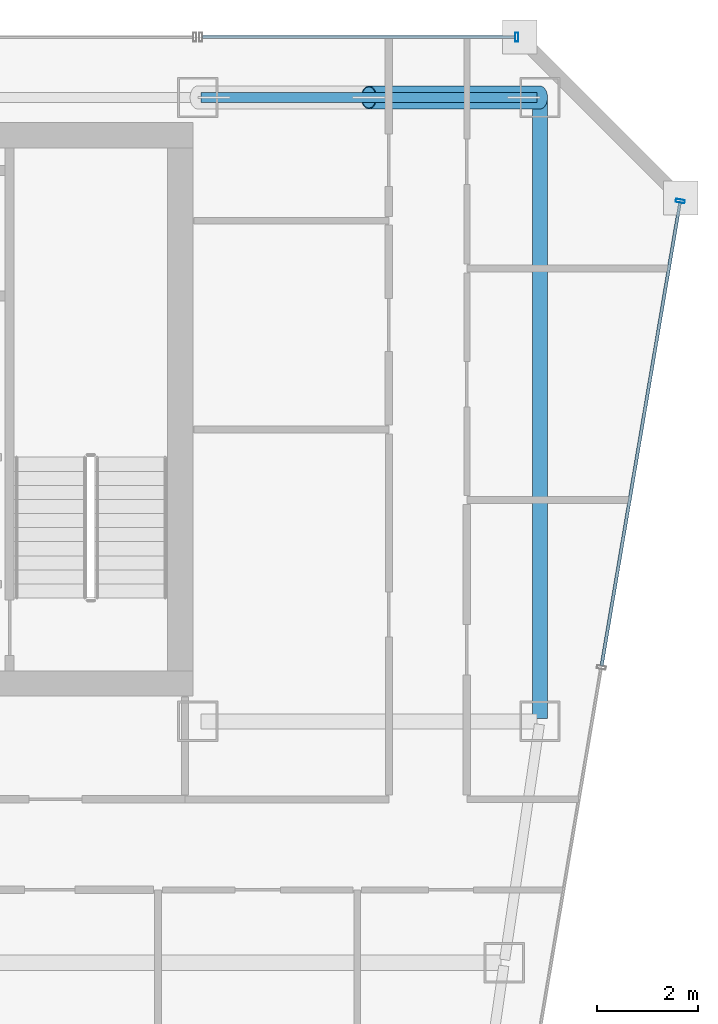
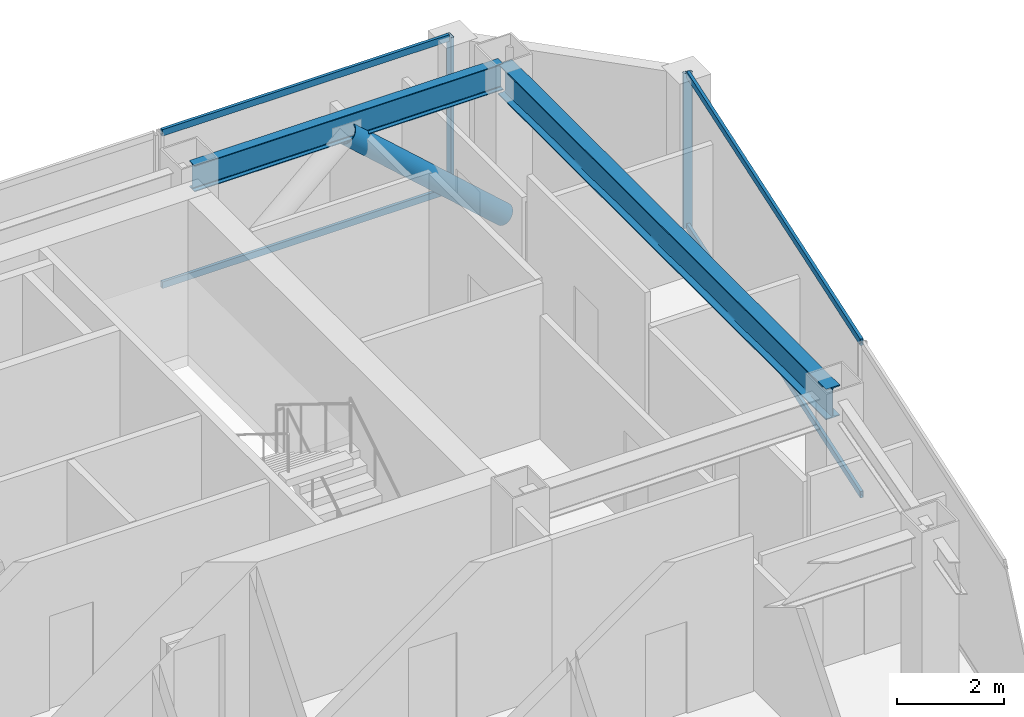
# One storey, part 27 of 36: 7 members, 2 beams, 2 elements without a shape of their own.
"""IFC4 building model written with IfcOpenShell, lengths in metres."""

import ifcopenshell
import ifcopenshell.guid

model = None  # the IFC model being written
_history = None  # IfcOwnerHistory: only IFC2X3 demands one
_inside = {}  # id of a spatial element -> (the spatial element, [elements in it])
_under = {}  # id of a project, library or spatial element -> (it, [spatial elements below it])
_declared = {}  # id of a project -> (the project, [libraries it declares])
_typed = {}  # id of a type object -> (the type object, [elements of that type])
_made_of = {}  # id of a material, layer set ... -> (it, [elements and type objects made of it])


def new_model(schema):
    """Start an empty IFC model of exactly this schema.

    Asked for "IFC4X3", IfcOpenShell would pick the latest addendum, in which some entities
    have other attributes; the version numbers below select the first issue.
    IFC2X3 requires an IfcOwnerHistory on every rooted entity: one is made here for all.
    """
    global model, _history
    if schema == "IFC4X3":
        model = ifcopenshell.file(schema_version=(4, 3, 0, 0))
    else:
        model = ifcopenshell.file(schema=schema)
    _inside.clear()
    _under.clear()
    _declared.clear()
    _typed.clear()
    _made_of.clear()
    _history = None
    if model.schema == "IFC2X3":
        org = make("IfcOrganization", Name="unknown")
        user = make(
            "IfcPersonAndOrganization",
            ThePerson=make("IfcPerson", FamilyName="unknown"),
            TheOrganization=org,
        )
        app = make(
            "IfcApplication",
            ApplicationDeveloper=org,
            Version="unknown",
            ApplicationFullName="unknown",
            ApplicationIdentifier="unknown",
        )
        _history = make(
            "IfcOwnerHistory",
            OwningUser=user,
            OwningApplication=app,
            ChangeAction="ADDED",
            CreationDate=0,
        )
    return model


def make(cls, **values):
    """One entity of the class cls with the attributes given. An attribute that is None is left unset."""
    return model.create_entity(
        cls, **{name: value for name, value in values.items() if value is not None}
    )


def rooted(cls, **values):
    """An entity with a GlobalId (a new one), such as an element, a storey or a relation."""
    return make(cls, GlobalId=ifcopenshell.guid.new(), OwnerHistory=_history, **values)


def si_unit(unit_type, name, prefix=None):
    """IfcSIUnit, for example si_unit("LENGTHUNIT", "METRE", prefix="MILLI")."""
    return make("IfcSIUnit", UnitType=unit_type, Prefix=prefix, Name=name)


def assignment(units):
    """IfcUnitAssignment: the units of a project."""
    return None if units is None else make("IfcUnitAssignment", Units=units)


def point(xyz):
    """IfcCartesianPoint."""
    return None if xyz is None else make("IfcCartesianPoint", Coordinates=xyz)


def direction(xyz):
    """IfcDirection."""
    return None if xyz is None else make("IfcDirection", DirectionRatios=xyz)


def frame(location, z_axis=None, x_axis=None):
    """IfcAxis2Placement3D, a coordinate frame: its origin and axes. An axis left out is left unset."""
    return make(
        "IfcAxis2Placement3D",
        Location=point(location),
        Axis=direction(z_axis),
        RefDirection=direction(x_axis),
    )


def frame_2d(location, x_axis=None):
    """IfcAxis2Placement2D, a coordinate frame in the plane: its origin and x axis."""
    return make(
        "IfcAxis2Placement2D", Location=point(location), RefDirection=direction(x_axis)
    )


def origin():
    """The frame at (0, 0, 0) with its axes left unset."""
    return frame((0.0, 0.0, 0.0))


def origin_2d():
    """The frame at (0, 0) in the plane with its x axis left unset."""
    return frame_2d((0.0, 0.0))


def place(relative_to, where):
    """IfcLocalPlacement: puts the frame where relative to a parent placement (None: the world)."""
    return make(
        "IfcLocalPlacement", PlacementRelTo=relative_to, RelativePlacement=where
    )


def context(
    kind, dimensions, precision=None, world=None, true_north=None, identifier=None
):
    """IfcGeometricRepresentationContext, for example the 3D "Model" context."""
    return make(
        "IfcGeometricRepresentationContext",
        ContextIdentifier=identifier,
        ContextType=kind,
        CoordinateSpaceDimension=dimensions,
        Precision=precision,
        WorldCoordinateSystem=world,
        TrueNorth=true_north,
    )


def subcontext(parent, identifier, kind, view, scale=None):
    """IfcGeometricRepresentationSubContext, for example "Body" below "Model"."""
    return make(
        "IfcGeometricRepresentationSubContext",
        ContextIdentifier=identifier,
        ContextType=kind,
        ParentContext=parent,
        TargetScale=scale,
        TargetView=view,
    )


def project(units=None, contexts=None):
    """IfcProject with its units and contexts."""
    return rooted(
        "IfcProject",
        Name="project",
        RepresentationContexts=contexts,
        UnitsInContext=assignment(units),
    )


def spatial(cls, under=None, at=None, **own):
    """A site, building, storey or space (cls), placed at a placement, below another one or the project."""
    s = rooted(cls, ObjectPlacement=at, **own)
    if under is not None:
        _under.setdefault(under.id(), (under, []))[1].append(s)
    return s


def profile(cls, at=None, kind="AREA", **sizes):
    """A parametric profile (cls). Its sizes go by their IFC names, for example OverallWidth=200.0."""
    return make(cls, ProfileType=kind, Position=at, **sizes)


def hollow_rectangle(**sizes):
    """IfcRectangleHollowProfileDef."""
    return profile("IfcRectangleHollowProfileDef", **sizes)


def hollow_circle(**sizes):
    """IfcCircleHollowProfileDef."""
    return profile("IfcCircleHollowProfileDef", **sizes)


def i_section(**sizes):
    """IfcIShapeProfileDef."""
    return profile("IfcIShapeProfileDef", **sizes)


def extrude(swept, where, along, depth):
    """IfcExtrudedAreaSolid: the profile swept, set in the frame where, extruded along a direction by depth."""
    return make(
        "IfcExtrudedAreaSolid",
        SweptArea=swept,
        Position=where,
        ExtrudedDirection=direction(along),
        Depth=depth,
    )


def shape(context_of_items, identifier, shape_type, items):
    """IfcShapeRepresentation: the items that make up one representation, for example the "Body"."""
    return make(
        "IfcShapeRepresentation",
        ContextOfItems=context_of_items,
        RepresentationIdentifier=identifier,
        RepresentationType=shape_type,
        Items=items,
    )


def material(Name=None, Category=None):
    """IfcMaterial."""
    return make("IfcMaterial", Name=Name, Category=Category)


def material_profile(
    of_material, cross_section, Name=None, Category=None, Priority=None
):
    """IfcMaterialProfile: a cross section and its material."""
    return make(
        "IfcMaterialProfile",
        Name=Name,
        Material=of_material,
        Profile=cross_section,
        Priority=Priority,
        Category=Category,
    )


def profile_set(profiles, Name=None, composite=None):
    """IfcMaterialProfileSet."""
    return make(
        "IfcMaterialProfileSet",
        Name=Name,
        MaterialProfiles=profiles,
        CompositeProfile=composite,
    )


def made_of(thing, what):
    """Note that an element or type object is made of a material, layer set ...; save() writes the relation."""
    if what is not None:
        _made_of.setdefault(what.id(), (what, []))[1].append(thing)
    return thing


def type_object(cls, material=None, **own):
    """A type object (cls), such as IfcWallType, which elements share."""
    return made_of(rooted(cls, **own), material)


def element(
    cls,
    number,
    at=None,
    inside=None,
    cuts=None,
    type_object=None,
    material=None,
    context=None,
    identifier="Body",
    shape_type=None,
    held_by="IfcProductDefinitionShape",
    body=None,
    shapes=None,
    **own,
):
    """One element of the class cls, such as IfcWall. Its Tag is "e" and its number.

    at: its placement. inside: the storey or other place that contains it. cuts: it is an
    opening in that element (IfcRelVoidsElement). A single representation is given by context,
    identifier, shape_type and body (its items); several are given by shapes. held_by: the class
    of the entity that holds the representations. save() writes the other relations.
    """
    e = rooted(cls, Tag="e%d" % number, ObjectPlacement=at, **own)
    if body is not None:
        shapes = [shape(context, identifier, shape_type, body)]
    if shapes is not None:
        e.Representation = make(held_by, Representations=shapes)
    if inside is not None:
        _inside.setdefault(inside.id(), (inside, []))[1].append(e)
    if cuts is not None:
        rooted(
            "IfcRelVoidsElement", RelatingBuildingElement=cuts, RelatedOpeningElement=e
        )
    if type_object is not None:
        _typed.setdefault(type_object.id(), (type_object, []))[1].append(e)
    return made_of(e, material)


def aggregate(whole, parts):
    """IfcRelAggregates: a whole, such as a stair, and the parts it consists of."""
    return rooted("IfcRelAggregates", RelatingObject=whole, RelatedObjects=parts)


def save(model, path):
    """Write the relations noted so far, then the file.

    IfcRelAggregates (storeys below a building ...), IfcRelContainedInSpatialStructure (elements
    in a storey), IfcRelDefinesByType, IfcRelAssociatesMaterial and IfcRelDeclares: one each for
    every whole, place, type object, material and project.
    """
    for whole, parts in _under.values():
        aggregate(whole, parts)
    for where, things in _inside.values():
        rooted(
            "IfcRelContainedInSpatialStructure",
            RelatedElements=things,
            RelatingStructure=where,
        )
    for kind, things in _typed.values():
        rooted("IfcRelDefinesByType", RelatedObjects=things, RelatingType=kind)
    for what, things in _made_of.values():
        rooted("IfcRelAssociatesMaterial", RelatedObjects=things, RelatingMaterial=what)
    for by, libraries in _declared.values():
        rooted("IfcRelDeclares", RelatingContext=by, RelatedDefinitions=libraries)
    model.write(path)


model = new_model("IFC4")

# Units and contexts
model_context = context("Model", 3, precision=1e-05, world=origin(), true_north=direction((0.0, 1.0)))
body_context = subcontext(model_context, "Body", "Model", "MODEL_VIEW")
ifc_project = project(units=[si_unit("LENGTHUNIT", "METRE"), si_unit("AREAUNIT", "SQUARE_METRE"), si_unit("VOLUMEUNIT", "CUBIC_METRE"), si_unit("PLANEANGLEUNIT", "RADIAN"), si_unit("MASSUNIT", "GRAM", prefix="KILO")], contexts=[model_context])

# Site, building, storey
site_placement = place(None, origin())
site = spatial("IfcSite", under=ifc_project, at=site_placement, CompositionType="ELEMENT")
building_placement = place(site_placement, origin())
building = spatial("IfcBuilding", under=site, at=building_placement, Name="Saevonmaru Cultural Tower", CompositionType="ELEMENT")
storey_placement = place(building_placement, frame((0.0, 0.0, 205.60009765625)))
storey = spatial("IfcBuildingStorey", under=building, at=storey_placement, Name="L47", CompositionType="ELEMENT", Elevation=205.60009765625)

# Beams
ifc_material_1 = material(Name="Steel SM355", Category="steel")
ifc_material_profile_1 = material_profile(ifc_material_1, i_section(OverallWidth=0.300048828125, OverallDepth=0.699951171875, WebThickness=0.012939453125, FlangeThickness=0.02392578125, FilletRadius=0.02587890625, at=origin_2d()), Name="H-700x300x13x24")
ifc_profile_set_1 = profile_set([ifc_material_profile_1], Name="Steel SM355")
beam_type_1 = type_object("IfcBeamType", Name="BM-G-H700", PredefinedType="BEAM", material=ifc_profile_set_1)
beam_1_placement = place(storey_placement, frame((53.199951171875, 54.739990234375, 3.199951171875), z_axis=(0.0, -1.0, 0.0), x_axis=(1.0, 0.0, 0.0)))
element("IfcBeam", 1, at=beam_1_placement, inside=storey, type_object=beam_type_1, Name="L47 Spine Transverse Girder E", PredefinedType="BEAM", context=body_context, shape_type="SweptSolid", body=[
    extrude(i_section(OverallWidth=0.300048828125, OverallDepth=0.699951171875, WebThickness=0.012939453125, FlangeThickness=0.02392578125, FilletRadius=0.02587890625, at=origin_2d()), origin(), (0.0, 0.0, 1.0), 12.280029296875),
])
ifc_material_profile_2 = material_profile(ifc_material_1, i_section(OverallWidth=0.199951171875, OverallDepth=0.60009765625, WebThickness=0.010986328125, FlangeThickness=0.01708984375, FilletRadius=0.02197265625, at=origin_2d()), Name="H-600x200x11x17")
ifc_profile_set_2 = profile_set([ifc_material_profile_2], Name="Steel SM355")
beam_type_2 = type_object("IfcBeamType", Name="BM-SP-H600", PredefinedType="SPANDREL", material=ifc_profile_set_2)
beam_2_placement = place(storey_placement, frame((46.4599609375, 54.800048828125, 3.25), z_axis=(1.0, 0.0, 0.0), x_axis=(0.0, 1.0, 0.0)))
element("IfcBeam", 2, at=beam_2_placement, inside=storey, type_object=beam_type_2, Name="L47 North Spine Girder 5", PredefinedType="SPANDREL", context=body_context, shape_type="SweptSolid", body=[
    extrude(i_section(OverallWidth=0.199951171875, OverallDepth=0.60009765625, WebThickness=0.010986328125, FlangeThickness=0.01708984375, FilletRadius=0.02197265625, at=origin_2d()), origin(), (0.0, 0.0, 1.0), 6.679931640625),
])

# Member
ifc_material_2 = material(Name="Steel SM420", Category="steel")
ifc_material_profile_3 = material_profile(ifc_material_2, hollow_circle(Radius=0.228515625, WallThickness=0.02001953125, at=origin_2d()), Name="CHS-457.2x20")
ifc_profile_set_3 = profile_set([ifc_material_profile_3], Name="Steel SM420")
member_type_1 = type_object("IfcMemberType", Name="MB-PBR-CHS457", PredefinedType="BRACE", material=ifc_profile_set_3)
member_1_placement = place(storey_placement, frame((53.199951171875, 54.800048828125, 0.02001953125), z_axis=(-0.744393515062, 0.0, 0.667741188436), x_axis=(0.0, -1.0, 0.0)))
element("IfcMember", 3, at=member_1_placement, inside=storey, type_object=member_type_1, Name="L47 Perimeter Braced-Tube Diagonal EN2", PredefinedType="BRACE", context=body_context, shape_type="SweptSolid", body=[
    extrude(hollow_circle(Radius=0.228515625, WallThickness=0.02001953125, at=origin_2d()), origin(), (0.0, 0.0, 1.0), 4.5673828125),
])

# Curtain wall, member
ifc_material_3 = material(Name="Satin Bronze Anodised Aluminium", Category="aluminium")
curtain_wall_type = type_object("IfcCurtainWallType", Name="CW-TYP-B", PredefinedType="NOTDEFINED", material=ifc_material_3)
curtain_wall_1_placement = place(storey_placement, origin())
curtain_wall_1 = element("IfcCurtainWall", 4, at=curtain_wall_1_placement, inside=storey, type_object=curtain_wall_type, Name="L47 Unitised Curtain Wall E8", PredefinedType="NOTDEFINED")
ifc_material_profile_4 = material_profile(ifc_material_3, hollow_rectangle(XDim=0.06494140625, YDim=0.179931640625, WallThickness=0.00390625, at=origin_2d()), Name="ALU-MULL-180x65x4")
ifc_profile_set_4 = profile_set([ifc_material_profile_4], Name="Satin Bronze Anodised Aluminium")
member_type_2 = type_object("IfcMemberType", Name="ML-CW-180x65", PredefinedType="MULLION", material=ifc_profile_set_4)
member_2_placement = place(storey_placement, frame((55.989990234375, 52.74072265625, 0.0), z_axis=(0.0, 0.0, 1.0), x_axis=(0.16692169721, 0.985970155228, 0.0)))
member_2 = element("IfcMember", 5, at=member_2_placement, type_object=member_type_2, Name="CW-TW-L47-E8 mullion 5", PredefinedType="MULLION", context=body_context, shape_type="SweptSolid", body=[
    extrude(hollow_rectangle(XDim=0.06494140625, YDim=0.179931640625, WallThickness=0.00390625, at=origin_2d()), origin(), (0.0, 0.0, 1.0), 3.5498046875),
])

curtain_wall_2_placement = place(storey_placement, origin())
curtain_wall_2 = element("IfcCurtainWall", 6, at=curtain_wall_2_placement, inside=storey, type_object=curtain_wall_type, Name="L47 East Braced Bay Spandrel Curtain Wall E10A", PredefinedType="NOTDEFINED")
member_3_placement = place(storey_placement, frame((52.739990234375, 56.0, 0.0), z_axis=(0.0, 0.0, 1.0), x_axis=(-1.0, 0.0, 0.0)))
member_3 = element("IfcMember", 7, at=member_3_placement, type_object=member_type_2, Name="CW-TW-L47-E10A mullion 1", PredefinedType="MULLION", context=body_context, shape_type="SweptSolid", body=[
    extrude(hollow_rectangle(XDim=0.06494140625, YDim=0.179931640625, WallThickness=0.00390625, at=origin_2d()), origin(), (0.0, 0.0, 1.0), 3.5498046875),
])

# Member
ifc_material_profile_5 = material_profile(ifc_material_3, hollow_rectangle(XDim=0.06494140625, YDim=0.14990234375, WallThickness=0.00390625, at=origin_2d()), Name="ALU-TRAN-150x65x4")
ifc_profile_set_5 = profile_set([ifc_material_profile_5], Name="Satin Bronze Anodised Aluminium")
member_type_3 = type_object("IfcMemberType", Name="TR-CW-150x65", PredefinedType="USERDEFINED", material=ifc_profile_set_5)
member_4_placement = place(storey_placement, frame((54.426025390625, 43.50244140625, 0.032470703125), z_axis=(0.166921263871, 0.985970228591, 0.0), x_axis=(-0.985970228591, 0.166921263871, 0.0)))
member_4 = element("IfcMember", 8, at=member_4_placement, type_object=member_type_3, Name="CW-TW-L47-E8 transom 4.1", ObjectType="TRANSOM", PredefinedType="USERDEFINED", context=body_context, shape_type="SweptSolid", body=[
    extrude(hollow_rectangle(XDim=0.06494140625, YDim=0.14990234375, WallThickness=0.00390625, at=origin_2d()), origin(), (0.0, 0.0, 1.0), 9.33740234375),
])

member_5_placement = place(storey_placement, frame((54.426025390625, 43.50244140625, 3.517333984375), z_axis=(0.166921263871, 0.985970228591, 0.0), x_axis=(-0.985970228591, 0.166921263871, 0.0)))
member_5 = element("IfcMember", 9, at=member_5_placement, type_object=member_type_3, Name="CW-TW-L47-E8 transom 4.2", ObjectType="TRANSOM", PredefinedType="USERDEFINED", context=body_context, shape_type="SweptSolid", body=[
    extrude(hollow_rectangle(XDim=0.06494140625, YDim=0.14990234375, WallThickness=0.00390625, at=origin_2d()), origin(), (0.0, 0.0, 1.0), 9.33740234375),
])

aggregate(curtain_wall_1, [member_2, member_4, member_5])

member_6_placement = place(storey_placement, frame((52.70751953125, 56.0, 0.032470703125), z_axis=(-1.0, 0.0, 0.0), x_axis=(0.0, -1.0, 0.0)))
member_6 = element("IfcMember", 10, at=member_6_placement, type_object=member_type_3, Name="CW-TW-L47-E10A transom 1.1", ObjectType="TRANSOM", PredefinedType="USERDEFINED", context=body_context, shape_type="SweptSolid", body=[
    extrude(hollow_rectangle(XDim=0.06494140625, YDim=0.14990234375, WallThickness=0.00390625, at=origin_2d()), origin(), (0.0, 0.0, 1.0), 6.215087890625),
])

member_7_placement = place(storey_placement, frame((52.70751953125, 56.0, 3.517333984375), z_axis=(-1.0, 0.0, 0.0), x_axis=(0.0, -1.0, 0.0)))
member_7 = element("IfcMember", 11, at=member_7_placement, type_object=member_type_3, Name="CW-TW-L47-E10A transom 1.2", ObjectType="TRANSOM", PredefinedType="USERDEFINED", context=body_context, shape_type="SweptSolid", body=[
    extrude(hollow_rectangle(XDim=0.06494140625, YDim=0.14990234375, WallThickness=0.00390625, at=origin_2d()), origin(), (0.0, 0.0, 1.0), 6.215087890625),
])

aggregate(curtain_wall_2, [member_3, member_6, member_7])

save(model, "model.ifc")
